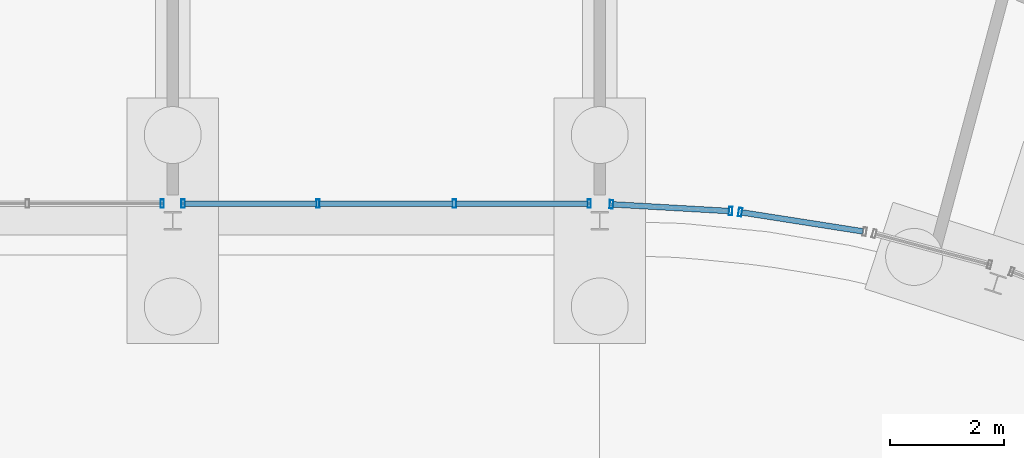
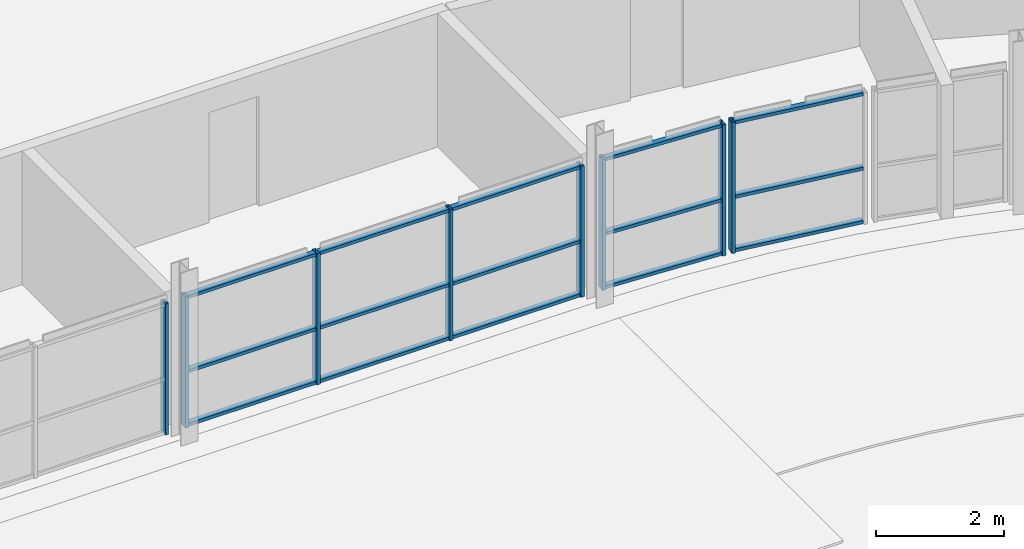
# One storey, part 64 of 130: 23 members, 4 elements without a shape of their own.
"""IFC4 building model written with IfcOpenShell, lengths in metres."""

from ifc_helpers import new_model, si_unit, direction, frame, origin, origin_2d, place, context, subcontext, project, spatial, hollow_rectangle, extrude, material, material_profile, profile_set, type_object, element, aggregate, save


model = new_model("IFC4")

# Units and contexts
model_context = context("Model", 3, precision=1e-05, world=origin(), true_north=direction((0.0, 1.0)))
body_context = subcontext(model_context, "Body", "Model", "MODEL_VIEW")
ifc_project = project(units=[si_unit("LENGTHUNIT", "METRE"), si_unit("AREAUNIT", "SQUARE_METRE"), si_unit("VOLUMEUNIT", "CUBIC_METRE"), si_unit("PLANEANGLEUNIT", "RADIAN"), si_unit("MASSUNIT", "GRAM", prefix="KILO")], contexts=[model_context])

# Site, building, storey
site_placement = place(None, origin())
site = spatial("IfcSite", under=ifc_project, at=site_placement, CompositionType="ELEMENT")
building_placement = place(site_placement, origin())
building = spatial("IfcBuilding", under=site, at=building_placement, Name="Parallax Yard Mobility Hub", CompositionType="ELEMENT")
storey_placement = place(building_placement, origin())
storey = spatial("IfcBuildingStorey", under=building, at=storey_placement, Name="L00", CompositionType="ELEMENT", Elevation=0.0)

# Curtain wall, member
ifc_material_1 = material(Name="Aluminium and glass curtain wall", Category="aluminium")
curtain_wall_type = type_object("IfcCurtainWallType", Name="Curtain wall, aluminium stick system", PredefinedType="NOTDEFINED", material=ifc_material_1)
curtain_wall_1_placement = place(storey_placement, origin())
curtain_wall_1 = element("IfcCurtainWall", 1, at=curtain_wall_1_placement, inside=storey, type_object=curtain_wall_type, Name="Curtain wall CW22 level L00 bay 16", PredefinedType="NOTDEFINED")
ifc_material_2 = material(Name="Aluminium 6063-T6 anodised", Category="aluminium")
ifc_material_profile_1 = material_profile(ifc_material_2, hollow_rectangle(XDim=0.14990234375, YDim=0.06005859375, WallThickness=0.00390625, at=origin_2d()), Name="RHS 60x150x4")
ifc_profile_set_1 = profile_set([ifc_material_profile_1], Name="Aluminium 6063-T6 anodised")
member_type_1 = type_object("IfcMemberType", Name="Curtain wall mullion RHS 60x150x4", PredefinedType="MULLION", material=ifc_profile_set_1)
member_1_placement = place(storey_placement, frame((164.81640625, 112.800048828125, 0.0), z_axis=(0.0, 0.0, 1.0), x_axis=(0.0, 1.0, 0.0)))
member_1 = element("IfcMember", 2, at=member_1_placement, type_object=member_type_1, Name="CW22 mullion 4", PredefinedType="MULLION", context=body_context, shape_type="SweptSolid", body=[
    extrude(hollow_rectangle(XDim=0.14990234375, YDim=0.06005859375, WallThickness=0.00390625, at=origin_2d()), origin(), (0.0, 0.0, 1.0), 2.5),
])
aggregate(curtain_wall_1, [member_1])

# Curtain wall, members
curtain_wall_2_placement = place(storey_placement, origin())
curtain_wall_2 = element("IfcCurtainWall", 3, at=curtain_wall_2_placement, inside=storey, type_object=curtain_wall_type, Name="Curtain wall CW23 level L00 bay 17", PredefinedType="NOTDEFINED")
member_2_placement = place(storey_placement, frame((165.18359375, 112.800048828125, 0.0), z_axis=(0.0, 0.0, 1.0), x_axis=(0.0, 1.0, 0.0)))
member_2 = element("IfcMember", 4, at=member_2_placement, type_object=member_type_1, Name="CW23 mullion 1", PredefinedType="MULLION", context=body_context, shape_type="SweptSolid", body=[
    extrude(hollow_rectangle(XDim=0.14990234375, YDim=0.06005859375, WallThickness=0.00390625, at=origin_2d()), origin(), (0.0, 0.0, 1.0), 2.5),
])
member_3_placement = place(storey_placement, frame((167.55126953125, 112.800048828125, 0.0), z_axis=(0.0, 0.0, 1.0), x_axis=(0.0, 1.0, 0.0)))
member_3 = element("IfcMember", 5, at=member_3_placement, type_object=member_type_1, Name="CW23 mullion 2", PredefinedType="MULLION", context=body_context, shape_type="SweptSolid", body=[
    extrude(hollow_rectangle(XDim=0.14990234375, YDim=0.06005859375, WallThickness=0.00390625, at=origin_2d()), origin(), (0.0, 0.0, 1.0), 2.5),
])
member_4_placement = place(storey_placement, frame((169.94873046875, 112.800048828125, 0.0), z_axis=(0.0, 0.0, 1.0), x_axis=(0.0, 1.0, 0.0)))
member_4 = element("IfcMember", 6, at=member_4_placement, type_object=member_type_1, Name="CW23 mullion 3", PredefinedType="MULLION", context=body_context, shape_type="SweptSolid", body=[
    extrude(hollow_rectangle(XDim=0.14990234375, YDim=0.06005859375, WallThickness=0.00390625, at=origin_2d()), origin(), (0.0, 0.0, 1.0), 2.5),
])
member_5_placement = place(storey_placement, frame((172.31640625, 112.800048828125, 0.0), z_axis=(0.0, 0.0, 1.0), x_axis=(0.0, 1.0, 0.0)))
member_5 = element("IfcMember", 7, at=member_5_placement, type_object=member_type_1, Name="CW23 mullion 4", PredefinedType="MULLION", context=body_context, shape_type="SweptSolid", body=[
    extrude(hollow_rectangle(XDim=0.14990234375, YDim=0.06005859375, WallThickness=0.00390625, at=origin_2d()), origin(), (0.0, 0.0, 1.0), 2.5),
])

curtain_wall_3_placement = place(storey_placement, origin())
curtain_wall_3 = element("IfcCurtainWall", 8, at=curtain_wall_3_placement, inside=storey, type_object=curtain_wall_type, Name="Curtain wall CW24 level L00 bay 18.1", PredefinedType="NOTDEFINED")
member_6_placement = place(storey_placement, frame((172.70556640625, 112.78857421875, 0.0), z_axis=(0.0, 0.0, 1.0), x_axis=(0.057237361947, 0.99836059838, 0.0)))
member_6 = element("IfcMember", 9, at=member_6_placement, type_object=member_type_1, Name="CW24 mullion 1", PredefinedType="MULLION", context=body_context, shape_type="SweptSolid", body=[
    extrude(hollow_rectangle(XDim=0.14990234375, YDim=0.06005859375, WallThickness=0.00390625, at=origin_2d()), origin(), (0.0, 0.0, 1.0), 2.5),
])
member_7_placement = place(storey_placement, frame((174.7978515625, 112.668701171875, 0.0), z_axis=(0.0, 0.0, 1.0), x_axis=(0.057237361947, 0.99836059838, 0.0)))
member_7 = element("IfcMember", 10, at=member_7_placement, type_object=member_type_1, Name="CW24 mullion 2", PredefinedType="MULLION", context=body_context, shape_type="SweptSolid", body=[
    extrude(hollow_rectangle(XDim=0.14990234375, YDim=0.06005859375, WallThickness=0.00390625, at=origin_2d()), origin(), (0.0, 0.0, 1.0), 2.5),
])

# Curtain wall, member
curtain_wall_4_placement = place(storey_placement, origin())
curtain_wall_4 = element("IfcCurtainWall", 11, at=curtain_wall_4_placement, inside=storey, type_object=curtain_wall_type, Name="Curtain wall CW25 level L00 bay 18.2", PredefinedType="NOTDEFINED")
member_8_placement = place(storey_placement, frame((174.96630859375, 112.650634765625, 0.0), z_axis=(0.0, 0.0, 1.0), x_axis=(0.154806174785, 0.987944860935, 0.0)))
member_8 = element("IfcMember", 12, at=member_8_placement, type_object=member_type_1, Name="CW25 mullion 1", PredefinedType="MULLION", context=body_context, shape_type="SweptSolid", body=[
    extrude(hollow_rectangle(XDim=0.14990234375, YDim=0.06005859375, WallThickness=0.00390625, at=origin_2d()), origin(), (0.0, 0.0, 1.0), 2.5),
])

# Member
ifc_material_profile_2 = material_profile(ifc_material_2, hollow_rectangle(XDim=0.10009765625, YDim=0.06005859375, WallThickness=0.00390625, at=origin_2d()), Name="RHS 60x100x4")
ifc_profile_set_2 = profile_set([ifc_material_profile_2], Name="Aluminium 6063-T6 anodised")
member_type_2 = type_object("IfcMemberType", Name="Curtain wall transom RHS 60x100x4", PredefinedType="USERDEFINED", material=ifc_profile_set_2)
member_9_placement = place(storey_placement, frame((165.21337890625, 112.800048828125, 0.030029296875), z_axis=(1.0, 0.0, 0.0), x_axis=(0.0, 1.0, 0.0)))
member_9 = element("IfcMember", 13, at=member_9_placement, type_object=member_type_2, Name="CW23 transom 1.1", ObjectType="TRANSOM", PredefinedType="USERDEFINED", context=body_context, shape_type="SweptSolid", body=[
    extrude(hollow_rectangle(XDim=0.10009765625, YDim=0.06005859375, WallThickness=0.00390625, at=origin_2d()), origin(), (0.0, 0.0, 1.0), 2.307861328125),
])

member_10_placement = place(storey_placement, frame((165.21337890625, 112.800048828125, 1.050048828125), z_axis=(1.0, 0.0, 0.0), x_axis=(0.0, 1.0, 0.0)))
member_10 = element("IfcMember", 14, at=member_10_placement, type_object=member_type_2, Name="CW23 transom 1.2", ObjectType="TRANSOM", PredefinedType="USERDEFINED", context=body_context, shape_type="SweptSolid", body=[
    extrude(hollow_rectangle(XDim=0.10009765625, YDim=0.06005859375, WallThickness=0.00390625, at=origin_2d()), origin(), (0.0, 0.0, 1.0), 2.307861328125),
])

member_11_placement = place(storey_placement, frame((165.21337890625, 112.800048828125, 2.469970703125), z_axis=(1.0, 0.0, 0.0), x_axis=(0.0, 1.0, 0.0)))
member_11 = element("IfcMember", 15, at=member_11_placement, type_object=member_type_2, Name="CW23 transom 1.3", ObjectType="TRANSOM", PredefinedType="USERDEFINED", context=body_context, shape_type="SweptSolid", body=[
    extrude(hollow_rectangle(XDim=0.10009765625, YDim=0.06005859375, WallThickness=0.00390625, at=origin_2d()), origin(), (0.0, 0.0, 1.0), 2.307861328125),
])

member_12_placement = place(storey_placement, frame((167.5810546875, 112.800048828125, 0.030029296875), z_axis=(1.0, 0.0, 0.0), x_axis=(0.0, 1.0, 0.0)))
member_12 = element("IfcMember", 16, at=member_12_placement, type_object=member_type_2, Name="CW23 transom 2.1", ObjectType="TRANSOM", PredefinedType="USERDEFINED", context=body_context, shape_type="SweptSolid", body=[
    extrude(hollow_rectangle(XDim=0.10009765625, YDim=0.06005859375, WallThickness=0.00390625, at=origin_2d()), origin(), (0.0, 0.0, 1.0), 2.337890625),
])

member_13_placement = place(storey_placement, frame((167.5810546875, 112.800048828125, 1.050048828125), z_axis=(1.0, 0.0, 0.0), x_axis=(0.0, 1.0, 0.0)))
member_13 = element("IfcMember", 17, at=member_13_placement, type_object=member_type_2, Name="CW23 transom 2.2", ObjectType="TRANSOM", PredefinedType="USERDEFINED", context=body_context, shape_type="SweptSolid", body=[
    extrude(hollow_rectangle(XDim=0.10009765625, YDim=0.06005859375, WallThickness=0.00390625, at=origin_2d()), origin(), (0.0, 0.0, 1.0), 2.337890625),
])

member_14_placement = place(storey_placement, frame((167.5810546875, 112.800048828125, 2.469970703125), z_axis=(1.0, 0.0, 0.0), x_axis=(0.0, 1.0, 0.0)))
member_14 = element("IfcMember", 18, at=member_14_placement, type_object=member_type_2, Name="CW23 transom 2.3", ObjectType="TRANSOM", PredefinedType="USERDEFINED", context=body_context, shape_type="SweptSolid", body=[
    extrude(hollow_rectangle(XDim=0.10009765625, YDim=0.06005859375, WallThickness=0.00390625, at=origin_2d()), origin(), (0.0, 0.0, 1.0), 2.337890625),
])

member_15_placement = place(storey_placement, frame((169.978759765625, 112.800048828125, 0.030029296875), z_axis=(1.0, 0.0, 0.0), x_axis=(0.0, 1.0, 0.0)))
member_15 = element("IfcMember", 19, at=member_15_placement, type_object=member_type_2, Name="CW23 transom 3.1", ObjectType="TRANSOM", PredefinedType="USERDEFINED", context=body_context, shape_type="SweptSolid", body=[
    extrude(hollow_rectangle(XDim=0.10009765625, YDim=0.06005859375, WallThickness=0.00390625, at=origin_2d()), origin(), (0.0, 0.0, 1.0), 2.307861328125),
])

member_16_placement = place(storey_placement, frame((169.978759765625, 112.800048828125, 1.050048828125), z_axis=(1.0, 0.0, 0.0), x_axis=(0.0, 1.0, 0.0)))
member_16 = element("IfcMember", 20, at=member_16_placement, type_object=member_type_2, Name="CW23 transom 3.2", ObjectType="TRANSOM", PredefinedType="USERDEFINED", context=body_context, shape_type="SweptSolid", body=[
    extrude(hollow_rectangle(XDim=0.10009765625, YDim=0.06005859375, WallThickness=0.00390625, at=origin_2d()), origin(), (0.0, 0.0, 1.0), 2.307861328125),
])

member_17_placement = place(storey_placement, frame((169.978759765625, 112.800048828125, 2.469970703125), z_axis=(1.0, 0.0, 0.0), x_axis=(0.0, 1.0, 0.0)))
member_17 = element("IfcMember", 21, at=member_17_placement, type_object=member_type_2, Name="CW23 transom 3.3", ObjectType="TRANSOM", PredefinedType="USERDEFINED", context=body_context, shape_type="SweptSolid", body=[
    extrude(hollow_rectangle(XDim=0.10009765625, YDim=0.06005859375, WallThickness=0.00390625, at=origin_2d()), origin(), (0.0, 0.0, 1.0), 2.307861328125),
])

aggregate(curtain_wall_2, [member_2, member_3, member_4, member_5, member_9, member_10, member_11, member_12, member_13, member_14, member_15, member_16, member_17])

member_18_placement = place(storey_placement, frame((172.7353515625, 112.786865234375, 0.030029296875), z_axis=(0.998362932918, -0.057196627312, 0.0), x_axis=(0.057196627312, 0.998362932918, 0.0)))
member_18 = element("IfcMember", 22, at=member_18_placement, type_object=member_type_2, Name="CW24 transom 1.1", ObjectType="TRANSOM", PredefinedType="USERDEFINED", context=body_context, shape_type="SweptSolid", body=[
    extrude(hollow_rectangle(XDim=0.10009765625, YDim=0.06005859375, WallThickness=0.00390625, at=origin_2d()), origin(), (0.0, 0.0, 1.0), 2.0361328125),
])

member_19_placement = place(storey_placement, frame((172.7353515625, 112.786865234375, 1.050048828125), z_axis=(0.998362932918, -0.057196627312, 0.0), x_axis=(0.057196627312, 0.998362932918, 0.0)))
member_19 = element("IfcMember", 23, at=member_19_placement, type_object=member_type_2, Name="CW24 transom 1.2", ObjectType="TRANSOM", PredefinedType="USERDEFINED", context=body_context, shape_type="SweptSolid", body=[
    extrude(hollow_rectangle(XDim=0.10009765625, YDim=0.06005859375, WallThickness=0.00390625, at=origin_2d()), origin(), (0.0, 0.0, 1.0), 2.0361328125),
])

member_20_placement = place(storey_placement, frame((172.7353515625, 112.786865234375, 2.469970703125), z_axis=(0.998362932918, -0.057196627312, 0.0), x_axis=(0.057196627312, 0.998362932918, 0.0)))
member_20 = element("IfcMember", 24, at=member_20_placement, type_object=member_type_2, Name="CW24 transom 1.3", ObjectType="TRANSOM", PredefinedType="USERDEFINED", context=body_context, shape_type="SweptSolid", body=[
    extrude(hollow_rectangle(XDim=0.10009765625, YDim=0.06005859375, WallThickness=0.00390625, at=origin_2d()), origin(), (0.0, 0.0, 1.0), 2.0361328125),
])

aggregate(curtain_wall_3, [member_6, member_7, member_18, member_19, member_20])

member_21_placement = place(storey_placement, frame((174.995849609375, 112.64599609375, 0.030029296875), z_axis=(0.987957945635, -0.154722647521, 0.0), x_axis=(0.154722647521, 0.987957945635, 0.0)))
member_21 = element("IfcMember", 25, at=member_21_placement, type_object=member_type_2, Name="CW25 transom 1.1", ObjectType="TRANSOM", PredefinedType="USERDEFINED", context=body_context, shape_type="SweptSolid", body=[
    extrude(hollow_rectangle(XDim=0.10009765625, YDim=0.06005859375, WallThickness=0.00390625, at=origin_2d()), origin(), (0.0, 0.0, 1.0), 2.15380859375),
])

member_22_placement = place(storey_placement, frame((174.995849609375, 112.64599609375, 1.050048828125), z_axis=(0.987957945635, -0.154722647521, 0.0), x_axis=(0.154722647521, 0.987957945635, 0.0)))
member_22 = element("IfcMember", 26, at=member_22_placement, type_object=member_type_2, Name="CW25 transom 1.2", ObjectType="TRANSOM", PredefinedType="USERDEFINED", context=body_context, shape_type="SweptSolid", body=[
    extrude(hollow_rectangle(XDim=0.10009765625, YDim=0.06005859375, WallThickness=0.00390625, at=origin_2d()), origin(), (0.0, 0.0, 1.0), 2.15380859375),
])

member_23_placement = place(storey_placement, frame((174.995849609375, 112.64599609375, 2.469970703125), z_axis=(0.987957945635, -0.154722647521, 0.0), x_axis=(0.154722647521, 0.987957945635, 0.0)))
member_23 = element("IfcMember", 27, at=member_23_placement, type_object=member_type_2, Name="CW25 transom 1.3", ObjectType="TRANSOM", PredefinedType="USERDEFINED", context=body_context, shape_type="SweptSolid", body=[
    extrude(hollow_rectangle(XDim=0.10009765625, YDim=0.06005859375, WallThickness=0.00390625, at=origin_2d()), origin(), (0.0, 0.0, 1.0), 2.15380859375),
])

aggregate(curtain_wall_4, [member_8, member_21, member_22, member_23])

save(model, "model.ifc")
